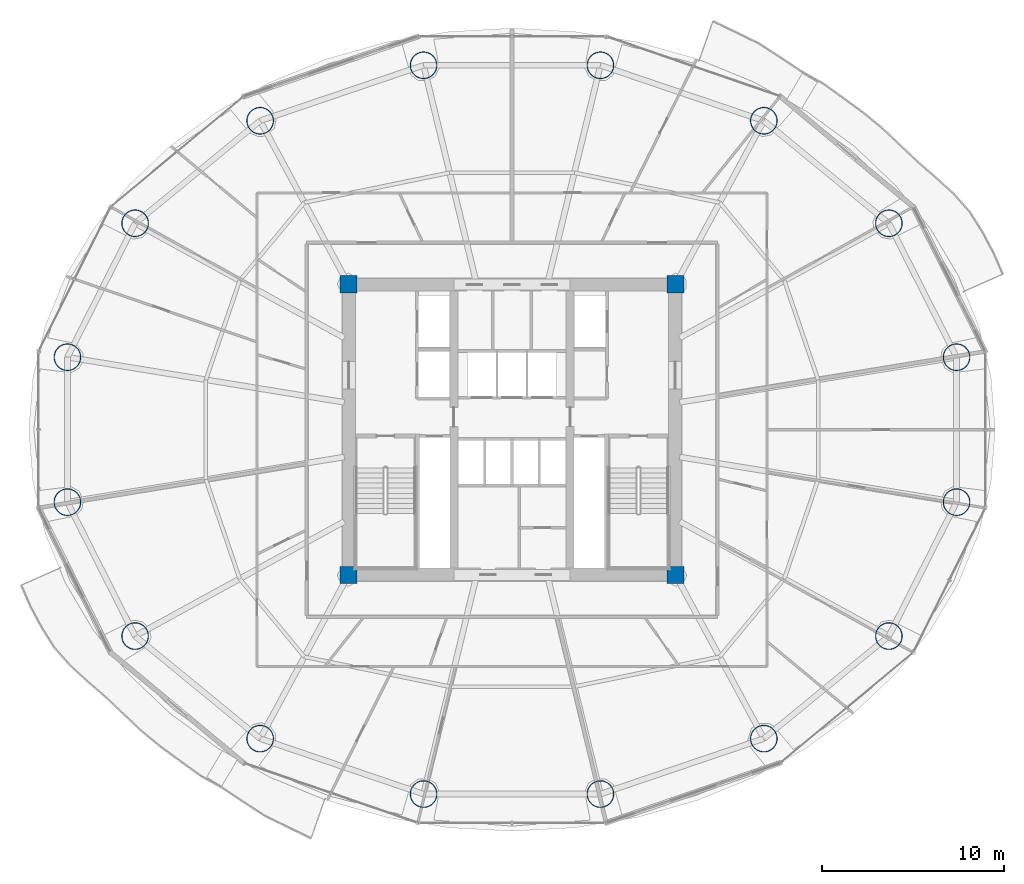
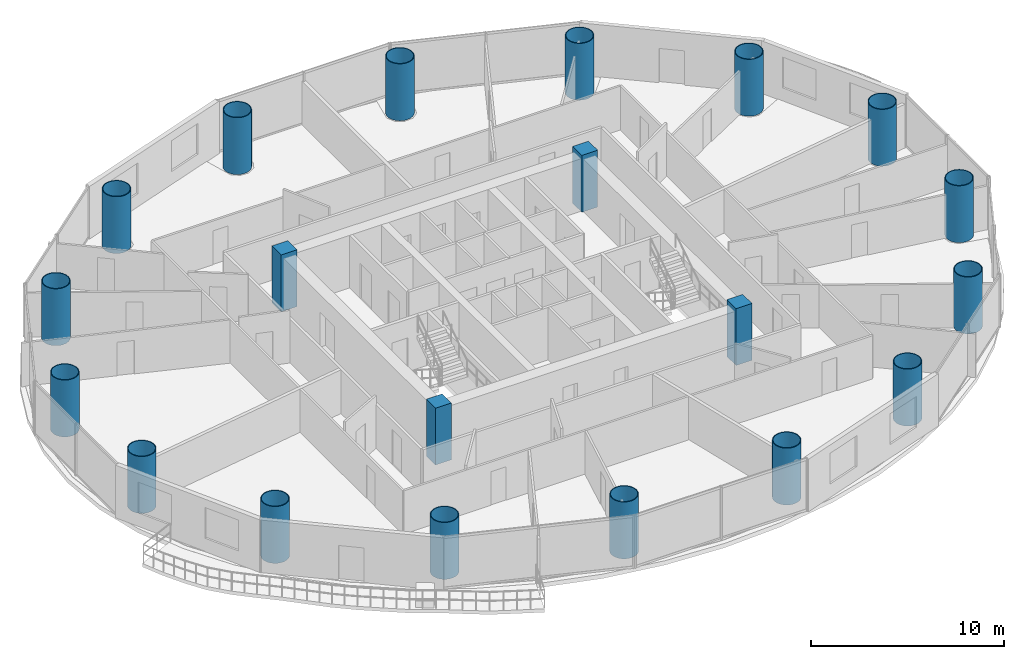
# One storey, part 1 of 29: 20 columns.
"""IFC4 building model written with IfcOpenShell, lengths in metres."""

from ifc_helpers import new_model, si_unit, direction, frame, origin, origin_2d, place, context, subcontext, project, spatial, rectangle, hollow_circle, extrude, material, material_profile, profile_set, type_object, element, save


model = new_model("IFC4")

# Units and contexts
model_context = context("Model", 3, precision=1e-05, world=origin(), true_north=direction((-0.2419218956, 0.970295726276)))
body_context = subcontext(model_context, "Body", "Model", "MODEL_VIEW")
ifc_project = project(units=[si_unit("LENGTHUNIT", "METRE"), si_unit("AREAUNIT", "SQUARE_METRE"), si_unit("VOLUMEUNIT", "CUBIC_METRE"), si_unit("PLANEANGLEUNIT", "RADIAN"), si_unit("MASSUNIT", "GRAM", prefix="KILO")], contexts=[model_context])

# Site, building, storey
site_placement = place(None, origin())
site = spatial("IfcSite", under=ifc_project, at=site_placement, CompositionType="ELEMENT")
building_placement = place(site_placement, origin())
building = spatial("IfcBuilding", under=site, at=building_placement, Name="Cobrevalo Terracotta Tower", CompositionType="ELEMENT")
storey_placement = place(building_placement, frame((0.0, 0.0, 83.39990234375)))
storey = spatial("IfcBuildingStorey", under=building, at=storey_placement, Name="L21", CompositionType="ELEMENT", Elevation=83.39990234375)

# Columns
ifc_material_1 = material(Name="Steel S355", Category="steel")
ifc_material_profile_1 = material_profile(ifc_material_1, hollow_circle(Radius=0.75, WallThickness=0.044921875, at=origin_2d()), Name="CHS 1500x45")
ifc_profile_set_1 = profile_set([ifc_material_profile_1], Name="Steel S355")
column_type_1 = type_object("IfcColumnType", Name="Structural Column CHS 1500x45 (Steel S355)", PredefinedType="COLUMN", material=ifc_profile_set_1)
for number, where, z_axis, x_axis, name in (
    (1, (62.470703125, 30.78955078125, 0.0), (0.0, 0.0, 1.0), (1.0, 0.0, 0.0), "L21 composite megacolumn MC01"),
    (2, (58.7451171875, 38.161376953125, 0.0), (0.0, 0.0, 1.0), (1.0, 0.0, 0.0), "L21 composite megacolumn MC02"),
    (3, (51.861572265625, 43.803466796875, 0.0), (0.0, 0.0, 1.0), (1.0, 0.0, 0.0), "L21 composite megacolumn MC03"),
    (4, (42.867431640625, 46.857177734375, 0.0), (0.0, 0.0, 1.0), (1.0, 0.0, 0.0), "L21 composite megacolumn MC04"),
    (5, (33.132568359375, 46.857177734375, 0.0), (0.0, 0.0, 1.0), (1.0, 0.0, 0.0), "L21 composite megacolumn MC05"),
    (6, (24.138427734375, 43.803466796875, 0.0), (0.0, 0.0, 1.0), (1.0, 0.0, 0.0), "L21 composite megacolumn MC06"),
    (7, (17.2548828125, 38.161376953125, 0.0), (0.0, 0.0, 1.0), (1.0, 0.0, 0.0), "L21 composite megacolumn MC07"),
    (8, (13.529296875, 30.78955078125, 0.0), (0.0, 0.0, 1.0), (1.0, 0.0, 0.0), "L21 composite megacolumn MC08"),
    (9, (13.529296875, 22.810302734375, 0.0), (0.0, 0.0, 1.0), (1.0, 0.0, 0.0), "L21 composite megacolumn MC09"),
    (10, (17.2548828125, 15.4384765625, 0.0), (0.0, 0.0, 1.0), (1.0, 0.0, 0.0), "L21 composite megacolumn MC10"),
    (11, (24.138427734375, 9.79638671875, 0.0), (0.0, 0.0, 1.0), (1.0, 0.0, 0.0), "L21 composite megacolumn MC11"),
    (12, (33.132568359375, 6.742919921875, 0.0), (0.0, 0.0, 1.0), (1.0, 0.0, 0.0), "L21 composite megacolumn MC12"),
    (13, (42.867431640625, 6.742919921875, 0.0), (0.0, 0.0, 1.0), (1.0, 0.0, 0.0), "L21 composite megacolumn MC13"),
    (14, (51.861572265625, 9.79638671875, 0.0), (0.0, 0.0, 1.0), (1.0, 0.0, 0.0), "L21 composite megacolumn MC14"),
    (15, (58.7451171875, 15.4384765625, 0.0), (0.0, 0.0, 1.0), (1.0, 0.0, 0.0), "L21 composite megacolumn MC15"),
    (16, (62.470703125, 22.810302734375, 0.0), (0.0, 0.0, 1.0), (1.0, 0.0, 0.0), "L21 composite megacolumn MC16"),
):
    element("IfcColumn", number, at=place(storey_placement, frame(where, z_axis=z_axis, x_axis=x_axis)), inside=storey, type_object=column_type_1, Name=name, PredefinedType="COLUMN", context=body_context, shape_type="SweptSolid", body=[
        extrude(hollow_circle(Radius=0.75, WallThickness=0.044921875, at=origin_2d()), origin(), (0.0, 0.0, 1.0), 3.60009765625),
    ])
ifc_material_2 = material(Name="Concrete C55", Category="concrete")
ifc_material_profile_2 = material_profile(ifc_material_2, rectangle(XDim=0.949951171875, YDim=0.949951171875, at=origin_2d()), Name="RC COL 950x950")
ifc_profile_set_2 = profile_set([ifc_material_profile_2], Name="Concrete C55")
column_type_2 = type_object("IfcColumnType", Name="Structural Column RC COL 950x950 (Concrete C55)", PredefinedType="COLUMN", material=ifc_profile_set_2)
for number, where, z_axis, x_axis, name in (
    (17, (29.0, 18.800048828125, 0.0), (0.0, 0.0, 1.0), (1.0, 0.0, 0.0), "L21 core corner column CC1"),
    (18, (47.0, 18.800048828125, 0.0), (0.0, 0.0, 1.0), (1.0, 0.0, 0.0), "L21 core corner column CC2"),
    (19, (47.0, 34.800048828125, 0.0), (0.0, 0.0, 1.0), (1.0, 0.0, 0.0), "L21 core corner column CC3"),
    (20, (29.0, 34.800048828125, 0.0), (0.0, 0.0, 1.0), (1.0, 0.0, 0.0), "L21 core corner column CC4"),
):
    element("IfcColumn", number, at=place(storey_placement, frame(where, z_axis=z_axis, x_axis=x_axis)), inside=storey, type_object=column_type_2, Name=name, PredefinedType="COLUMN", context=body_context, shape_type="SweptSolid", body=[
        extrude(rectangle(XDim=0.949951171875, YDim=0.949951171875, at=origin_2d()), origin(), (0.0, 0.0, 1.0), 3.60009765625),
    ])

save(model, "model.ifc")
